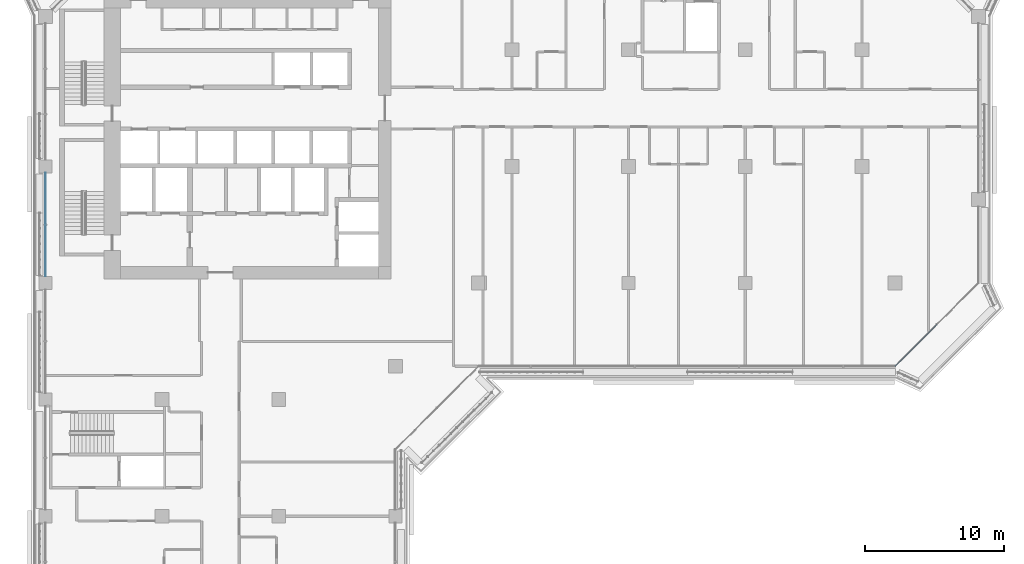
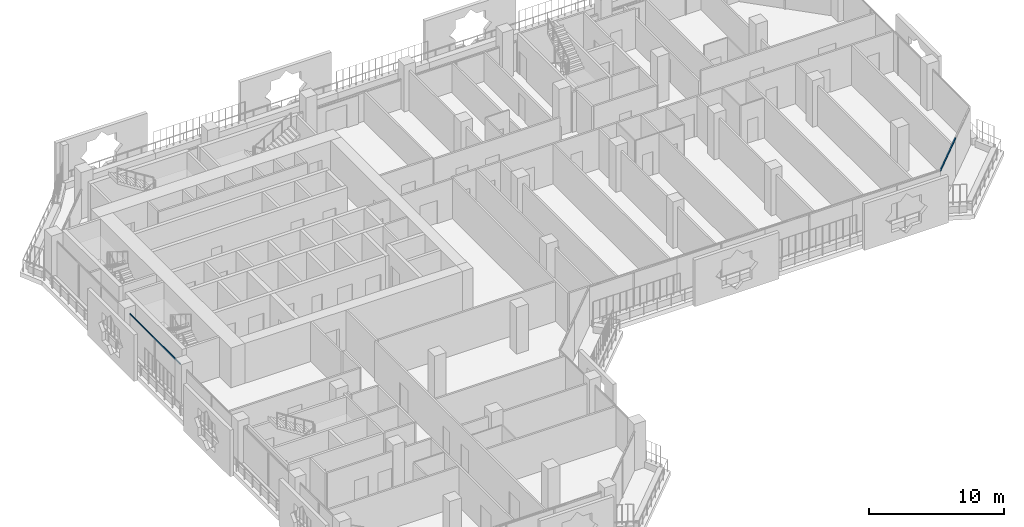
# One storey, part 4 of 22: 2 members, 2 elements without a shape of their own.
"""IFC4 building model written with IfcOpenShell, lengths in metres."""

from ifc_helpers import new_model, si_unit, direction, frame, origin, origin_2d, place, context, subcontext, project, spatial, rectangle, extrude, material, layer, layer_set, material_profile, profile_set, type_object, element, aggregate, save


model = new_model("IFC4")

# Units and contexts
model_context = context("Model", 3, precision=1e-05, world=origin(), true_north=direction((0.0, 1.0)))
body_context = subcontext(model_context, "Body", "Model", "MODEL_VIEW")
ifc_project = project(units=[si_unit("LENGTHUNIT", "METRE"), si_unit("AREAUNIT", "SQUARE_METRE"), si_unit("VOLUMEUNIT", "CUBIC_METRE"), si_unit("PLANEANGLEUNIT", "RADIAN"), si_unit("MASSUNIT", "GRAM", prefix="KILO")], contexts=[model_context])

# Site, building, storey
site_placement = place(None, origin())
site = spatial("IfcSite", under=ifc_project, at=site_placement, CompositionType="ELEMENT")
building_placement = place(site_placement, origin())
building = spatial("IfcBuilding", under=site, at=building_placement, Name="Kawkab Arch Medical Tower", CompositionType="ELEMENT")
storey_placement = place(building_placement, frame((0.0, 0.0, 196.199951171875)))
storey = spatial("IfcBuildingStorey", under=building, at=storey_placement, Name="L45", CompositionType="ELEMENT", Elevation=196.199951171875)

# Curtain wall, member
ifc_material_1 = material(Name="Bronze anodised aluminium curtain wall frame", Category="aluminium")
ifc_layer_1 = layer(ifc_material_1, 0.159912109375)
ifc_layer_set_1 = layer_set([ifc_layer_1], Name="Bronze anodised aluminium curtain wall frame")
curtain_wall_type_1 = type_object("IfcCurtainWallType", Name="CW1 ward curtain wall", PredefinedType="NOTDEFINED", material=ifc_layer_set_1)
placement = place(storey_placement, origin())
curtain_wall_1 = element("IfcCurtainWall", 1, at=placement, inside=storey, type_object=curtain_wall_type_1, Name="CW1 Ward curtain wall R01", PredefinedType="NOTDEFINED")
ifc_material_2 = material(Name="Bronze anodised aluminium curtain wall frame", Category="aluminium")
ifc_material_profile_1 = material_profile(ifc_material_2, rectangle(XDim=0.06005859375, YDim=0.1201171875, at=origin_2d()), Name="AL 60x120")
ifc_profile_set_1 = profile_set([ifc_material_profile_1], Name="Bronze anodised aluminium curtain wall frame")
member_type_1 = type_object("IfcMemberType", Name="CW1 transom 120 x 60", PredefinedType="USERDEFINED", material=ifc_profile_set_1)
member_1_placement = place(storey_placement, frame((0.0, -17.27490234375, 3.5400390625), z_axis=(0.0, -1.0, 0.0), x_axis=(1.0, 0.0, 0.0)))
member_1 = element("IfcMember", 2, at=member_1_placement, type_object=member_type_1, Name="CW1 transom 2", ObjectType="TRANSOM", PredefinedType="USERDEFINED", context=body_context, shape_type="SweptSolid", body=[
    extrude(rectangle(XDim=0.06005859375, YDim=0.1201171875, at=origin_2d()), origin(), (0.0, 0.0, 1.0), 7.4501953125),
])
aggregate(curtain_wall_1, [member_1])

ifc_material_3 = material(Name="Bronze anodised aluminium curtain wall frame", Category="aluminium")
ifc_layer_2 = layer(ifc_material_3, 0.159912109375)
ifc_layer_set_2 = layer_set([ifc_layer_2], Name="Bronze anodised aluminium curtain wall frame")
curtain_wall_type_2 = type_object("IfcCurtainWallType", Name="CW2 chamfer curtain wall", PredefinedType="NOTDEFINED", material=ifc_layer_set_2)
curtain_wall_2 = element("IfcCurtainWall", 3, at=placement, inside=storey, type_object=curtain_wall_type_2, Name="CW2 Chamfer curtain wall R08", PredefinedType="NOTDEFINED")
ifc_material_4 = material(Name="Bronze anodised aluminium curtain wall frame", Category="aluminium")
ifc_material_profile_2 = material_profile(ifc_material_4, rectangle(XDim=0.06005859375, YDim=0.139892578125, at=origin_2d()), Name="AL 60x140")
ifc_profile_set_2 = profile_set([ifc_material_profile_2], Name="Bronze anodised aluminium curtain wall frame")
member_type_2 = type_object("IfcMemberType", Name="CW2 transom 140 x 60", PredefinedType="USERDEFINED", material=ifc_profile_set_2)
member_2_placement = place(storey_placement, frame((61.199951171875, -31.199951171875, 3.530029296875), z_axis=(0.707106781187, 0.707106781187, 0.0), x_axis=(-0.707106781187, 0.707106781187, 0.0)))
member_2 = element("IfcMember", 4, at=member_2_placement, type_object=member_type_2, Name="CW2 transom 1", ObjectType="TRANSOM", PredefinedType="USERDEFINED", context=body_context, shape_type="SweptSolid", body=[
    extrude(rectangle(XDim=0.06005859375, YDim=0.139892578125, at=origin_2d()), origin(), (0.0, 0.0, 1.0), 4.24267578125),
])
aggregate(curtain_wall_2, [member_2])

save(model, "model.ifc")
